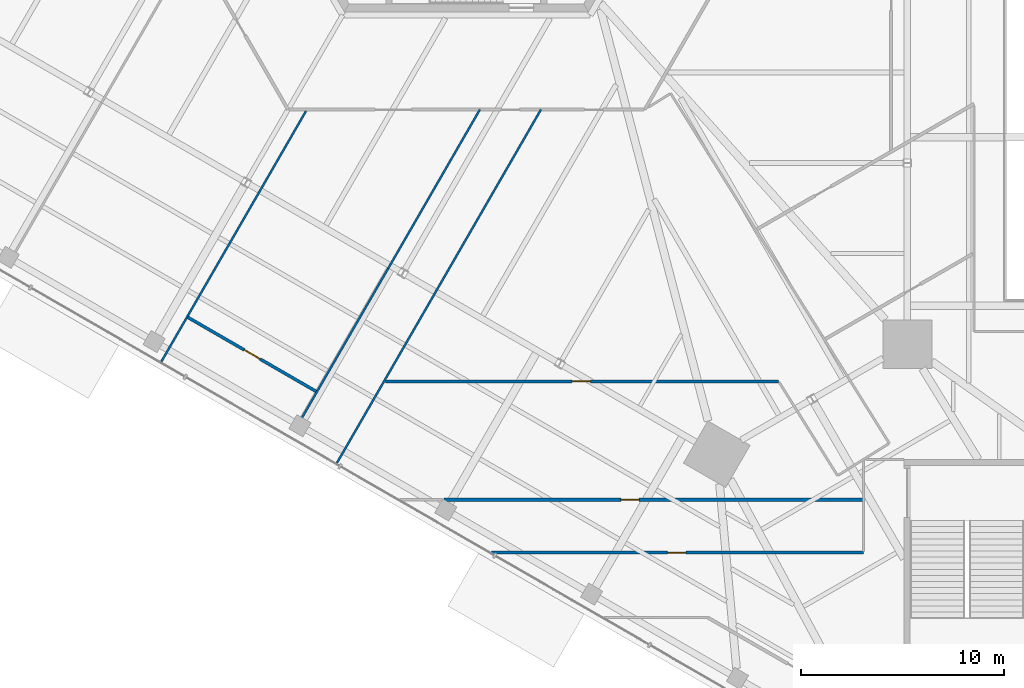
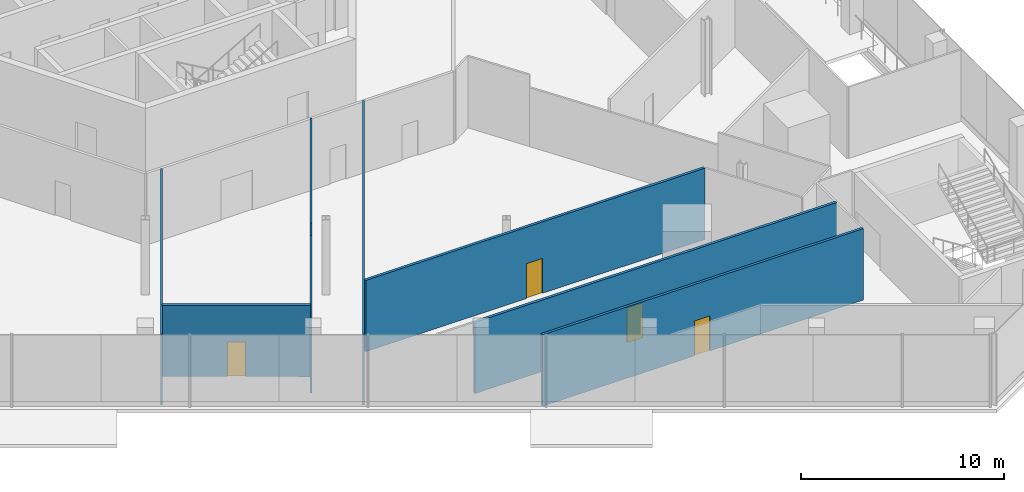
# One storey, part 18 of 27: 8 walls, 4 doors, 4 openings.
"""IFC4 building model written with IfcOpenShell, lengths in metres."""

from ifc_helpers import new_model, si_unit, direction, frame, frame_2d, origin, place, context, subcontext, project, spatial, rectangle, extrude, source, transform, mapped, material, layer, layer_set, type_object, element, fill, save


model = new_model("IFC4")

# Units and contexts
model_context = context("Model", 3, precision=1e-05, world=origin(), true_north=direction((0.0, 1.0)))
body_context = subcontext(model_context, "Body", "Model", "MODEL_VIEW")
ifc_project = project(units=[si_unit("LENGTHUNIT", "METRE"), si_unit("AREAUNIT", "SQUARE_METRE"), si_unit("VOLUMEUNIT", "CUBIC_METRE"), si_unit("PLANEANGLEUNIT", "RADIAN"), si_unit("MASSUNIT", "GRAM", prefix="KILO")], contexts=[model_context])

# Site, building, storey
site_placement = place(None, origin())
site = spatial("IfcSite", under=ifc_project, at=site_placement, CompositionType="ELEMENT")
building_placement = place(site_placement, origin())
building = spatial("IfcBuilding", under=site, at=building_placement, Name="Triune Harvest Tower", CompositionType="ELEMENT")
storey_placement = place(building_placement, frame((0.0, 0.0, 7.0)))
storey = spatial("IfcBuildingStorey", under=building, at=storey_placement, Name="L01", CompositionType="ELEMENT", Elevation=7.0)

# Wall, opening, door
ifc_material_1 = material(Name="Gypsum board on steel studs", Category="steel")
ifc_layer_1 = layer(ifc_material_1, 0.14990234375)
ifc_layer_set_1 = layer_set([ifc_layer_1], Name="Gypsum board on steel studs")
wall_type_1 = type_object("IfcWallType", Name="Fire Partition 150 mm", PredefinedType="PARTITIONING", material=ifc_layer_set_1)
wall_1_placement = place(storey_placement, frame((1.2412109375, -36.979248046875, 0.0), z_axis=(0.0, 0.0, 1.0), x_axis=(1.0, 0.0, 0.0)))
wall_1 = element("IfcWall", 1, at=wall_1_placement, inside=storey, type_object=wall_type_1, Name="Partition L01 023", PredefinedType="PARTITIONING", context=body_context, shape_type="SweptSolid", body=[
    extrude(rectangle(XDim=18.27880859375, YDim=0.14990234375, at=frame_2d((9.139404296875, 0.0))), origin(), (0.0, 0.0, 1.0), 4.300048828125),
])
opening_1_placement = place(wall_1_placement, frame((8.64990234375, 0.0, 0.0)))
opening_1 = element("IfcOpeningElement", 2, at=opening_1_placement, cuts=wall_1, Name="Opening L01-035", PredefinedType="OPENING", context=body_context, shape_type="SweptSolid", body=[
    extrude(rectangle(XDim=0.89990234375, YDim=2.10009765625, at=frame_2d((0.449951171875, 1.050048828125))), frame((0.0, 0.0849609375, 0.0), z_axis=(0.0, -1.0, 0.0), x_axis=(1.0, 0.0, 0.0)), (0.0, 0.0, 1.0), 0.169921875),
])
ifc_material_2 = material(Name="Timber and steel door set", Category="steel")
door_type_1 = type_object("IfcDoorType", Name="Single leaf door FD30 right hand 900 x 2100", OperationType="SINGLE_SWING_RIGHT", PredefinedType="DOOR", material=ifc_material_2)
door_1_placement = place(opening_1_placement, origin())
door_1 = element("IfcDoor", 3, at=door_1_placement, inside=storey, type_object=door_type_1, Name="Door L01-035 Dry Store Room 01.36", OperationType="SINGLE_SWING_RIGHT", OverallHeight=2.10009765625, OverallWidth=0.89990234375, PredefinedType="DOOR", context=body_context, shape_type="SweptSolid", body=[
    extrude(rectangle(XDim=0.89990234375, YDim=2.10009765625, at=frame_2d((0.449951171875, 1.050048828125))), frame((0.0, 0.02490234375, 0.0), z_axis=(0.0, -1.0, 0.0), x_axis=(1.0, 0.0, 0.0)), (0.0, 0.0, 1.0), 0.050048828125),
])
fill(opening_1, door_1)

wall_2_placement = place(storey_placement, frame((-1.103515625, -34.379150390625, 0.0), z_axis=(0.0, 0.0, 1.0), x_axis=(1.0, 0.0, 0.0)))
wall_2 = element("IfcWall", 4, at=wall_2_placement, inside=storey, type_object=wall_type_1, Name="Partition L01 025", PredefinedType="PARTITIONING", context=body_context, shape_type="SweptSolid", body=[
    extrude(rectangle(XDim=20.62353515625, YDim=0.14990234375, at=frame_2d((10.311767578125, 0.0))), origin(), (0.0, 0.0, 1.0), 4.300048828125),
])
opening_2_placement = place(wall_2_placement, frame((8.691650390625, 0.0, 0.0)))
opening_2 = element("IfcOpeningElement", 5, at=opening_2_placement, cuts=wall_2, Name="Opening L01-034", PredefinedType="OPENING", context=body_context, shape_type="SweptSolid", body=[
    extrude(rectangle(XDim=0.89990234375, YDim=2.10009765625, at=frame_2d((0.449951171875, 1.050048828125))), frame((0.0, 0.0849609375, 0.0), z_axis=(0.0, -1.0, 0.0), x_axis=(1.0, 0.0, 0.0)), (0.0, 0.0, 1.0), 0.169921875),
])
door_2_placement = place(opening_2_placement, origin())
door_2 = element("IfcDoor", 6, at=door_2_placement, inside=storey, type_object=door_type_1, Name="Door L01-034 Dry Store Room 01.35", OperationType="SINGLE_SWING_RIGHT", OverallHeight=2.10009765625, OverallWidth=0.89990234375, PredefinedType="DOOR", context=body_context, shape_type="SweptSolid", body=[
    extrude(rectangle(XDim=0.89990234375, YDim=2.10009765625, at=frame_2d((0.449951171875, 1.050048828125))), frame((0.0, 0.02490234375, 0.0), z_axis=(0.0, -1.0, 0.0), x_axis=(1.0, 0.0, 0.0)), (0.0, 0.0, 1.0), 0.050048828125),
])
fill(opening_2, door_2)

wall_3_placement = place(storey_placement, frame((-3.97412109375, -28.56201171875, 0.0), z_axis=(0.0, 0.0, 1.0), x_axis=(1.0, 0.0, 0.0)))
wall_3 = element("IfcWall", 7, at=wall_3_placement, inside=storey, type_object=wall_type_1, Name="Partition L01 027", PredefinedType="PARTITIONING", context=body_context, shape_type="SweptSolid", body=[
    extrude(rectangle(XDim=19.328125, YDim=0.14990234375, at=frame_2d((9.6640625, 0.0))), origin(), (0.0, 0.0, 1.0), 4.300048828125),
])
opening_3_placement = place(wall_3_placement, frame((9.169921875, 0.0, 0.0)))
opening_3 = element("IfcOpeningElement", 8, at=opening_3_placement, cuts=wall_3, Name="Opening L01-033", PredefinedType="OPENING", context=body_context, shape_type="SweptSolid", body=[
    extrude(rectangle(XDim=0.89990234375, YDim=2.10009765625, at=frame_2d((0.449951171875, 1.050048828125))), frame((0.0, 0.0849609375, 0.0), z_axis=(0.0, -1.0, 0.0), x_axis=(1.0, 0.0, 0.0)), (0.0, 0.0, 1.0), 0.169921875),
])
door_3_placement = place(opening_3_placement, origin())
door_3 = element("IfcDoor", 9, at=door_3_placement, inside=storey, type_object=door_type_1, Name="Door L01-033 Dry Store Room 01.34", OperationType="SINGLE_SWING_RIGHT", OverallHeight=2.10009765625, OverallWidth=0.89990234375, PredefinedType="DOOR", context=body_context, shape_type="SweptSolid", body=[
    extrude(rectangle(XDim=0.89990234375, YDim=2.10009765625, at=frame_2d((0.449951171875, 1.050048828125))), frame((0.0, 0.02490234375, 0.0), z_axis=(0.0, -1.0, 0.0), x_axis=(1.0, 0.0, 0.0)), (0.0, 0.0, 1.0), 0.050048828125),
])
fill(opening_3, door_3)

# Walls
ifc_material_3 = material(Name="Gypsum board on steel studs", Category="steel")
ifc_layer_2 = layer(ifc_material_3, 0.10009765625)
ifc_layer_set_2 = layer_set([ifc_layer_2], Name="Gypsum board on steel studs")
wall_type_2 = type_object("IfcWallType", Name="Partition 100 mm", PredefinedType="PARTITIONING", material=ifc_layer_set_2)
wall_4_placement = place(storey_placement, frame((-3.841796875, -22.994140625, 0.0), z_axis=(0.0, 0.0, 1.0), x_axis=(0.499992224644, 0.866029892842, 0.0)))
element("IfcWall", 10, at=wall_4_placement, inside=storey, type_object=wall_type_2, Name="Partition L01 055a", PredefinedType="PARTITIONING", context=body_context, shape_type="SweptSolid", body=[
    extrude(rectangle(XDim=9.009033203125, YDim=0.10009765625, at=frame_2d((4.50439453125, 0.0))), origin(), (0.0, 0.0, 1.0), 4.300048828125),
])
shared_shape_1 = source(origin(), body_context, "Body", "SweptSolid", [
    extrude(rectangle(XDim=20.054931640625, YDim=0.10009765625, at=frame_2d((10.02734375, 0.0))), origin(), (0.0, 0.0, 1.0), 4.300048828125),
])
wall_5_placement = place(storey_placement, frame((-6.362548828125, -32.560302734375, 0.0), z_axis=(0.0, 0.0, 1.0), x_axis=(0.499993625742, 0.866029083933, 0.0)))
element("IfcWall", 11, at=wall_5_placement, inside=storey, type_object=wall_type_2, Name="Partition L01 054", PredefinedType="PARTITIONING", context=body_context, shape_type="MappedRepresentation", body=[
    mapped(shared_shape_1, transform((0.0, 0.0, 0.0), scale=1.0)),
])
shared_shape_2 = source(origin(), body_context, "Body", "SweptSolid", [
    extrude(rectangle(XDim=14.209716796875, YDim=0.10009765625, at=frame_2d((7.10498046875, 0.0))), origin(), (0.0, 0.0, 1.0), 4.300048828125),
])
wall_6_placement = place(storey_placement, frame((-14.9951171875, -27.576171875, 0.0), z_axis=(0.0, 0.0, 1.0), x_axis=(0.500008500586, 0.866020495913, 0.0)))
element("IfcWall", 12, at=wall_6_placement, inside=storey, type_object=wall_type_2, Name="Partition L01 056", PredefinedType="PARTITIONING", context=body_context, shape_type="MappedRepresentation", body=[
    mapped(shared_shape_2, transform((0.0, 0.0, 0.0), scale=1.0)),
])
shared_shape_3 = source(origin(), body_context, "Body", "SweptSolid", [
    extrude(rectangle(XDim=8.49072265625, YDim=0.10009765625, at=frame_2d((4.245361328125, 0.0))), origin(), (0.0, 0.0, 1.0), 3.52783203125),
])
wall_7_placement = place(storey_placement, frame((-8.087158203125, -30.347412109375, 0.0), z_axis=(0.0, 0.0, 1.0), x_axis=(0.499995411839, 0.866028052744, 0.0)))
element("IfcWall", 13, at=wall_7_placement, inside=storey, type_object=wall_type_2, Name="Partition L01 055", PredefinedType="PARTITIONING", context=body_context, shape_type="MappedRepresentation", body=[
    mapped(shared_shape_3, transform((0.0, 0.0, 0.0), scale=1.0)),
])

# Wall, opening, door
shared_shape_4 = source(origin(), body_context, "Body", "SweptSolid", [
    extrude(rectangle(XDim=7.307861328125, YDim=0.14990234375, at=frame_2d((3.65380859375, 0.0))), origin(), (0.0, 0.0, 1.0), 4.300048828125),
])
wall_8_placement = place(storey_placement, frame((-13.70654296875, -25.404541015625, 0.0), z_axis=(0.0, 0.0, 1.0), x_axis=(0.866020355572, -0.500008743658, 0.0)))
wall_8 = element("IfcWall", 14, at=wall_8_placement, inside=storey, type_object=wall_type_1, Name="Partition L01 019", PredefinedType="PARTITIONING", context=body_context, shape_type="MappedRepresentation", body=[
    mapped(shared_shape_4, transform((0.0, 0.0, 0.0), scale=1.0)),
])
opening_4_placement = place(wall_8_placement, frame((3.219970703125, 0.0, 0.0)))
opening_4 = element("IfcOpeningElement", 15, at=opening_4_placement, cuts=wall_8, Name="Opening L01-030", PredefinedType="OPENING", context=body_context, shape_type="SweptSolid", body=[
    extrude(rectangle(XDim=0.89990234375, YDim=2.10009765625, at=frame_2d((0.449951171875, 1.050048828125))), frame((0.0, 0.0849609375, 0.0), z_axis=(0.0, -1.0, 0.0), x_axis=(1.0, 0.0, 0.0)), (0.0, 0.0, 1.0), 0.169921875),
])
ifc_material_4 = material(Name="Timber and steel door set", Category="steel")
door_type_2 = type_object("IfcDoorType", Name="Single leaf door FD30 left hand 900 x 2100", OperationType="SINGLE_SWING_LEFT", PredefinedType="DOOR", material=ifc_material_4)
door_4_placement = place(opening_4_placement, origin())
door_4 = element("IfcDoor", 16, at=door_4_placement, inside=storey, type_object=door_type_2, Name="Door L01-030 Dry Store Room 01.31", OperationType="SINGLE_SWING_LEFT", OverallHeight=2.10009765625, OverallWidth=0.89990234375, PredefinedType="DOOR", context=body_context, shape_type="SweptSolid", body=[
    extrude(rectangle(XDim=0.89990234375, YDim=2.10009765625, at=frame_2d((0.449951171875, 1.050048828125))), frame((0.0, 0.02490234375, 0.0), z_axis=(0.0, -1.0, 0.0), x_axis=(1.0, 0.0, 0.0)), (0.0, 0.0, 1.0), 0.050048828125),
])
fill(opening_4, door_4)

save(model, "model.ifc")
